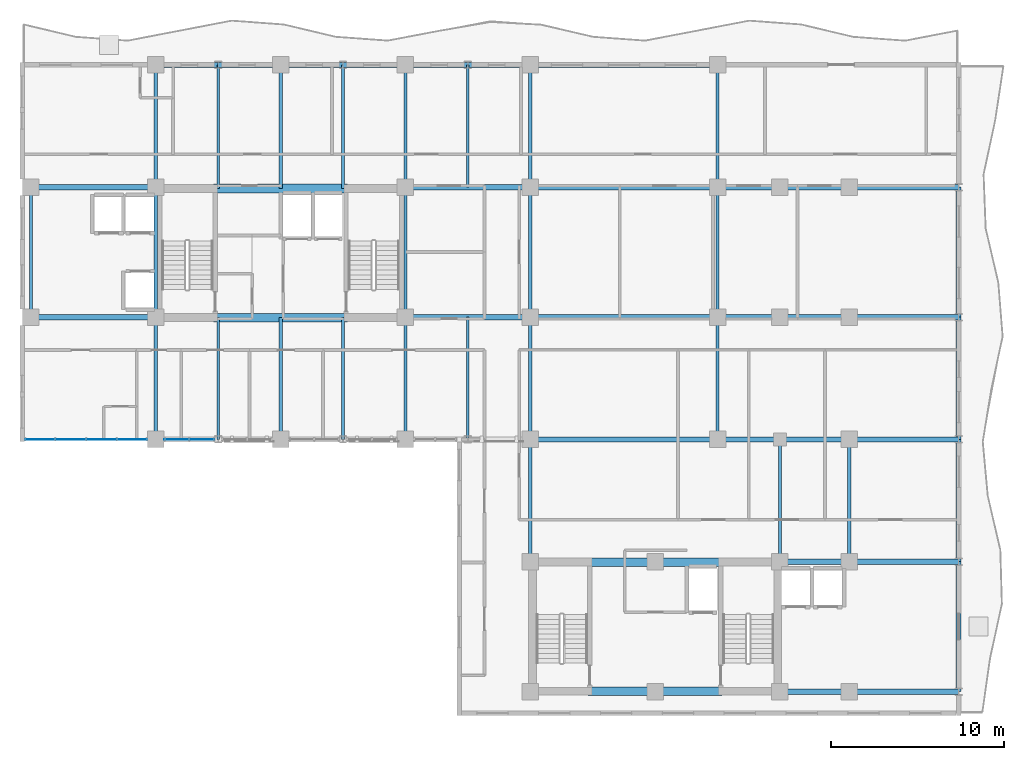
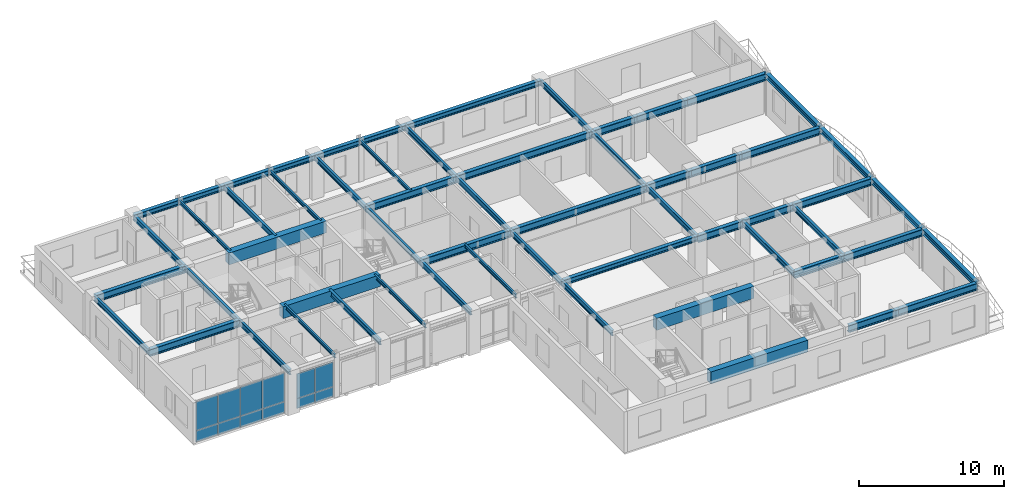
# One storey, part 6 of 16: 59 beams, 12 plates, 2 elements without a shape of their own.
"""IFC4 building model written with IfcOpenShell, lengths in metres."""

from ifc_helpers import new_model, si_unit, direction, frame, origin, origin_2d, place, context, subcontext, project, spatial, rectangle, i_section, extrude, source, transform, mapped, material, layer, layer_set, material_profile, profile_set, type_object, element, aggregate, save


model = new_model("IFC4")

# Units and contexts
model_context = context("Model", 3, precision=1e-05, world=origin(), true_north=direction((0.0, 1.0)))
body_context = subcontext(model_context, "Body", "Model", "MODEL_VIEW")
ifc_project = project(units=[si_unit("LENGTHUNIT", "METRE"), si_unit("AREAUNIT", "SQUARE_METRE"), si_unit("VOLUMEUNIT", "CUBIC_METRE"), si_unit("PLANEANGLEUNIT", "RADIAN"), si_unit("MASSUNIT", "GRAM", prefix="KILO")], contexts=[model_context])

# Site, building, storey
site_placement = place(None, origin())
site = spatial("IfcSite", under=ifc_project, at=site_placement, CompositionType="ELEMENT")
building_placement = place(site_placement, origin())
building = spatial("IfcBuilding", under=site, at=building_placement, Name="Kaliganga Portal Commons", CompositionType="ELEMENT")
storey_placement = place(building_placement, frame((0.0, 0.0, 205.5)))
storey = spatial("IfcBuildingStorey", under=building, at=storey_placement, Name="L52", CompositionType="ELEMENT", Elevation=205.5)

# Beams
ifc_material_1 = material(Name="Concrete C50/60", Category="concrete")
ifc_material_profile_1 = material_profile(ifc_material_1, rectangle(XDim=0.5, YDim=1.0, at=origin_2d()), Name="RC 500x1000")
ifc_profile_set_1 = profile_set([ifc_material_profile_1], Name="Concrete C50/60")
beam_type_1 = type_object("IfcBeamType", Name="BM-CPL-1000", PredefinedType="LINTEL", material=ifc_profile_set_1)
shared_shape_1 = source(origin(), body_context, "Body", "SweptSolid", [
    extrude(rectangle(XDim=0.5, YDim=1.0, at=origin_2d()), origin(), (0.0, 0.0, 1.0), 7.739990234375),
])
for number, where, z_axis, x_axis, name in (
    (1, (17.72998046875, 28.625, 2.969970703125), (1.0, 0.0, 0.0), (0.0, 1.0, 0.0), "BM CPL COREA L52 S"),
    (2, (17.72998046875, 36.074951171875, 2.969970703125), (1.0, 0.0, 0.0), (0.0, 1.0, 0.0), "BM CPL COREA L52 N"),
    (3, (39.330078125, 7.074951171875, 2.969970703125), (1.0, 0.0, 0.0), (0.0, 1.0, 0.0), "BM CPL COREB L52 S"),
    (4, (39.330078125, 14.52490234375, 2.969970703125), (1.0, 0.0, 0.0), (0.0, 1.0, 0.0), "BM CPL COREB L52 N"),
):
    element("IfcBeam", number, at=place(storey_placement, frame(where, z_axis=z_axis, x_axis=x_axis)), inside=storey, type_object=beam_type_1, Name=name, PredefinedType="LINTEL", context=body_context, shape_type="MappedRepresentation", body=[
        mapped(shared_shape_1, transform((0.0, 0.0, 0.0), x_axis=(1.0, 0.0, 0.0), y_axis=(0.0, 1.0, 0.0), z_axis=(0.0, 0.0, 1.0), scale=1.0)),
    ])
ifc_material_2 = material(Name="Structural steel S355J2", Category="steel")
ifc_material_profile_2 = material_profile(ifc_material_2, i_section(OverallWidth=0.300048828125, OverallDepth=0.449951171875, WebThickness=0.013916015625, FlangeThickness=0.02587890625, FilletRadius=0.027099609375, at=origin_2d()), Name="HE 450 B")
ifc_profile_set_2 = profile_set([ifc_material_profile_2], Name="Structural steel S355J2 wide-flange")
beam_type_2 = type_object("IfcBeamType", Name="BM-SPAND-450", PredefinedType="SPANDREL", material=ifc_profile_set_2)
shared_shape_2 = source(origin(), body_context, "Body", "SweptSolid", [
    extrude(i_section(OverallWidth=0.300048828125, OverallDepth=0.449951171875, WebThickness=0.013916015625, FlangeThickness=0.02587890625, FilletRadius=0.027099609375, at=origin_2d()), origin(), (0.0, 0.0, 1.0), 3.60009765625),
])
for number, where, z_axis, x_axis, name in (
    (5, (14.39990234375, 43.199951171875, 3.2451171875), (1.0, 0.0, 0.0), (0.0, 1.0, 0.0), "BM SP L52 AN 1"),
    (6, (18.0, 43.199951171875, 3.2451171875), (1.0, 0.0, 0.0), (0.0, 1.0, 0.0), "BM SP L52 AN 2"),
    (7, (25.199951171875, 43.199951171875, 3.2451171875), (1.0, 0.0, 0.0), (0.0, 1.0, 0.0), "BM SP L52 AN 4"),
    (8, (32.39990234375, 43.199951171875, 3.2451171875), (1.0, 0.0, 0.0), (0.0, 1.0, 0.0), "BM SP L52 AN 6"),
):
    element("IfcBeam", number, at=place(storey_placement, frame(where, z_axis=z_axis, x_axis=x_axis)), inside=storey, type_object=beam_type_2, Name=name, PredefinedType="SPANDREL", context=body_context, shape_type="MappedRepresentation", body=[
        mapped(shared_shape_2, transform((0.0, 0.0, 0.0), x_axis=(1.0, 0.0, 0.0), y_axis=(0.0, 1.0, 0.0), z_axis=(0.0, 0.0, 1.0), scale=1.0)),
    ])
shared_shape_3 = source(origin(), body_context, "Body", "SweptSolid", [
    extrude(i_section(OverallWidth=0.300048828125, OverallDepth=0.449951171875, WebThickness=0.013916015625, FlangeThickness=0.02587890625, FilletRadius=0.027099609375, at=origin_2d()), origin(), (0.0, 0.0, 1.0), 3.599853515625),
])
for number, where, z_axis, x_axis, name in (
    (9, (21.60009765625, 43.199951171875, 3.2451171875), (1.0, 0.0, 0.0), (0.0, 1.0, 0.0), "BM SP L52 AN 3"),
    (10, (28.800048828125, 43.199951171875, 3.2451171875), (1.0, 0.0, 0.0), (0.0, 1.0, 0.0), "BM SP L52 AN 5"),
):
    element("IfcBeam", number, at=place(storey_placement, frame(where, z_axis=z_axis, x_axis=x_axis)), inside=storey, type_object=beam_type_2, Name=name, PredefinedType="SPANDREL", context=body_context, shape_type="MappedRepresentation", body=[
        mapped(shared_shape_3, transform((0.0, 0.0, 0.0), x_axis=(1.0, 0.0, 0.0), y_axis=(0.0, 1.0, 0.0), z_axis=(0.0, 0.0, 1.0), scale=1.0)),
    ])
shared_shape_4 = source(origin(), body_context, "Body", "SweptSolid", [
    extrude(i_section(OverallWidth=0.300048828125, OverallDepth=0.449951171875, WebThickness=0.013916015625, FlangeThickness=0.02587890625, FilletRadius=0.027099609375, at=origin_2d()), origin(), (0.0, 0.0, 1.0), 10.800048828125),
])
for number, where, z_axis, x_axis, name in (
    (11, (36.0, 43.199951171875, 3.2451171875), (1.0, 0.0, 0.0), (0.0, 1.0, 0.0), "BM SP L52 AN 7"),
    (12, (36.0, 21.60009765625, 3.2451171875), (1.0, 0.0, 0.0), (0.0, 1.0, 0.0), "BM SP L52 AS 7"),
):
    element("IfcBeam", number, at=place(storey_placement, frame(where, z_axis=z_axis, x_axis=x_axis)), inside=storey, type_object=beam_type_2, Name=name, PredefinedType="SPANDREL", context=body_context, shape_type="MappedRepresentation", body=[
        mapped(shared_shape_4, transform((0.0, 0.0, 0.0), x_axis=(1.0, 0.0, 0.0), y_axis=(0.0, 1.0, 0.0), z_axis=(0.0, 0.0, 1.0), scale=1.0)),
    ])
shared_shape_5 = source(origin(), body_context, "Body", "SweptSolid", [
    extrude(i_section(OverallWidth=0.300048828125, OverallDepth=0.449951171875, WebThickness=0.013916015625, FlangeThickness=0.02587890625, FilletRadius=0.027099609375, at=origin_2d()), origin(), (0.0, 0.0, 1.0), 7.5),
])
for number, where, z_axis, x_axis, name in (
    (13, (60.699951171875, 7.050048828125, 3.2451171875), (0.0, 1.0, 0.0), (-1.0, 0.0, 0.0), "BM SP L52 BE 1"),
    (14, (60.699951171875, 28.64990234375, 3.2451171875), (0.0, 1.0, 0.0), (-1.0, 0.0, 0.0), "BM SP L52 BE 4"),
):
    element("IfcBeam", number, at=place(storey_placement, frame(where, z_axis=z_axis, x_axis=x_axis)), inside=storey, type_object=beam_type_2, Name=name, PredefinedType="SPANDREL", context=body_context, shape_type="MappedRepresentation", body=[
        mapped(shared_shape_5, transform((0.0, 0.0, 0.0), x_axis=(1.0, 0.0, 0.0), y_axis=(0.0, 1.0, 0.0), z_axis=(0.0, 0.0, 1.0), scale=1.0)),
    ])
shared_shape_6 = source(origin(), body_context, "Body", "SweptSolid", [
    extrude(i_section(OverallWidth=0.300048828125, OverallDepth=0.449951171875, WebThickness=0.013916015625, FlangeThickness=0.02587890625, FilletRadius=0.027099609375, at=origin_2d()), origin(), (0.0, 0.0, 1.0), 7.050048828125),
])
beam_1_placement = place(storey_placement, frame((60.699951171875, 14.550048828125, 3.2451171875), z_axis=(0.0, 1.0, 0.0), x_axis=(-1.0, 0.0, 0.0)))
element("IfcBeam", 15, at=beam_1_placement, inside=storey, type_object=beam_type_2, Name="BM SP L52 BE 2", PredefinedType="SPANDREL", context=body_context, shape_type="MappedRepresentation", body=[
    mapped(shared_shape_6, transform((0.0, 0.0, 0.0), x_axis=(1.0, 0.0, 0.0), y_axis=(0.0, 1.0, 0.0), z_axis=(0.0, 0.0, 1.0), scale=1.0)),
])
shared_shape_7 = source(origin(), body_context, "Body", "SweptSolid", [
    extrude(i_section(OverallWidth=0.300048828125, OverallDepth=0.449951171875, WebThickness=0.013916015625, FlangeThickness=0.02587890625, FilletRadius=0.027099609375, at=origin_2d()), origin(), (0.0, 0.0, 1.0), 7.0498046875),
])
beam_2_placement = place(storey_placement, frame((60.699951171875, 21.60009765625, 3.2451171875), z_axis=(0.0, 1.0, 0.0), x_axis=(-1.0, 0.0, 0.0)))
element("IfcBeam", 16, at=beam_2_placement, inside=storey, type_object=beam_type_2, Name="BM SP L52 BE 3", PredefinedType="SPANDREL", context=body_context, shape_type="MappedRepresentation", body=[
    mapped(shared_shape_7, transform((0.0, 0.0, 0.0), x_axis=(1.0, 0.0, 0.0), y_axis=(0.0, 1.0, 0.0), z_axis=(0.0, 0.0, 1.0), scale=1.0)),
])
ifc_material_profile_3 = material_profile(ifc_material_2, i_section(OverallWidth=0.300048828125, OverallDepth=0.60009765625, WebThickness=0.015380859375, FlangeThickness=0.030029296875, FilletRadius=0.027099609375, at=origin_2d()), Name="HE 600 B")
ifc_profile_set_3 = profile_set([ifc_material_profile_3], Name="Structural steel S355J2 wide-flange")
beam_type_3 = type_object("IfcBeamType", Name="BM-GIRD-600", PredefinedType="USERDEFINED", material=ifc_profile_set_3)
shared_shape_8 = source(origin(), body_context, "Body", "SweptSolid", [
    extrude(i_section(OverallWidth=0.300048828125, OverallDepth=0.60009765625, WebThickness=0.015380859375, FlangeThickness=0.030029296875, FilletRadius=0.027099609375, at=origin_2d()), origin(), (0.0, 0.0, 1.0), 7.199951171875),
])
for number, where, z_axis, x_axis, name in (
    (17, (7.199951171875, 28.64990234375, 3.169921875), (1.0, 0.0, 0.0), (0.0, 1.0, 0.0), "BM G L52 WAH_S 1"),
    (18, (7.199951171875, 36.14990234375, 3.169921875), (1.0, 0.0, 0.0), (0.0, 1.0, 0.0), "BM G L52 WAH_N 1"),
    (19, (28.800048828125, 28.64990234375, 3.169921875), (1.0, 0.0, 0.0), (0.0, 1.0, 0.0), "BM G L52 WAE_S 1"),
    (20, (28.800048828125, 36.14990234375, 3.169921875), (1.0, 0.0, 0.0), (0.0, 1.0, 0.0), "BM G L52 WAE_N 1"),
):
    element("IfcBeam", number, at=place(storey_placement, frame(where, z_axis=z_axis, x_axis=x_axis)), inside=storey, type_object=beam_type_3, Name=name, ObjectType="GIRDER", PredefinedType="USERDEFINED", context=body_context, shape_type="MappedRepresentation", body=[
        mapped(shared_shape_8, transform((0.0, 0.0, 0.0), x_axis=(1.0, 0.0, 0.0), y_axis=(0.0, 1.0, 0.0), z_axis=(0.0, 0.0, 1.0), scale=1.0)),
    ])
shared_shape_9 = source(origin(), body_context, "Body", "SweptSolid", [
    extrude(i_section(OverallWidth=0.300048828125, OverallDepth=0.60009765625, WebThickness=0.015380859375, FlangeThickness=0.030029296875, FilletRadius=0.027099609375, at=origin_2d()), origin(), (0.0, 0.0, 1.0), 10.800048828125),
])
for number, where, z_axis, x_axis, name in (
    (21, (36.0, 28.64990234375, 3.169921875), (1.0, 0.0, 0.0), (0.0, 1.0, 0.0), "BM G L52 WAE_S 2"),
    (22, (36.0, 36.14990234375, 3.169921875), (1.0, 0.0, 0.0), (0.0, 1.0, 0.0), "BM G L52 WAE_N 2"),
):
    element("IfcBeam", number, at=place(storey_placement, frame(where, z_axis=z_axis, x_axis=x_axis)), inside=storey, type_object=beam_type_3, Name=name, ObjectType="GIRDER", PredefinedType="USERDEFINED", context=body_context, shape_type="MappedRepresentation", body=[
        mapped(shared_shape_9, transform((0.0, 0.0, 0.0), x_axis=(1.0, 0.0, 0.0), y_axis=(0.0, 1.0, 0.0), z_axis=(0.0, 0.0, 1.0), scale=1.0)),
    ])
shared_shape_10 = source(origin(), body_context, "Body", "SweptSolid", [
    extrude(i_section(OverallWidth=0.300048828125, OverallDepth=0.60009765625, WebThickness=0.015380859375, FlangeThickness=0.030029296875, FilletRadius=0.027099609375, at=origin_2d()), origin(), (0.0, 0.0, 1.0), 4.0),
])
for number, where, z_axis, x_axis, name in (
    (23, (50.39990234375, 7.050048828125, 3.169921875), (1.0, 0.0, 0.0), (0.0, 1.0, 0.0), "BM G L52 BKE70 1"),
    (24, (50.39990234375, 14.550048828125, 3.169921875), (1.0, 0.0, 0.0), (0.0, 1.0, 0.0), "BM G L52 BKE146 1"),
    (25, (50.39990234375, 21.60009765625, 3.169921875), (1.0, 0.0, 0.0), (0.0, 1.0, 0.0), "BM G L52 BKE216 2"),
    (26, (50.39990234375, 28.64990234375, 3.169921875), (1.0, 0.0, 0.0), (0.0, 1.0, 0.0), "BM G L52 BKE286 2"),
    (27, (50.39990234375, 36.14990234375, 3.169921875), (1.0, 0.0, 0.0), (0.0, 1.0, 0.0), "BM G L52 BKE362 2"),
):
    element("IfcBeam", number, at=place(storey_placement, frame(where, z_axis=z_axis, x_axis=x_axis)), inside=storey, type_object=beam_type_3, Name=name, ObjectType="GIRDER", PredefinedType="USERDEFINED", context=body_context, shape_type="MappedRepresentation", body=[
        mapped(shared_shape_10, transform((0.0, 0.0, 0.0), x_axis=(1.0, 0.0, 0.0), y_axis=(0.0, 1.0, 0.0), z_axis=(0.0, 0.0, 1.0), scale=1.0)),
    ])
shared_shape_11 = source(origin(), body_context, "Body", "SweptSolid", [
    extrude(i_section(OverallWidth=0.300048828125, OverallDepth=0.60009765625, WebThickness=0.015380859375, FlangeThickness=0.030029296875, FilletRadius=0.027099609375, at=origin_2d()), origin(), (0.0, 0.0, 1.0), 3.599853515625),
])
for number, where, z_axis, x_axis, name in (
    (28, (46.800048828125, 21.60009765625, 3.169921875), (1.0, 0.0, 0.0), (0.0, 1.0, 0.0), "BM G L52 BKE216 1"),
    (29, (46.800048828125, 28.64990234375, 3.169921875), (1.0, 0.0, 0.0), (0.0, 1.0, 0.0), "BM G L52 BKE286 1"),
    (30, (46.800048828125, 36.14990234375, 3.169921875), (1.0, 0.0, 0.0), (0.0, 1.0, 0.0), "BM G L52 BKE362 1"),
):
    element("IfcBeam", number, at=place(storey_placement, frame(where, z_axis=z_axis, x_axis=x_axis)), inside=storey, type_object=beam_type_3, Name=name, ObjectType="GIRDER", PredefinedType="USERDEFINED", context=body_context, shape_type="MappedRepresentation", body=[
        mapped(shared_shape_11, transform((0.0, 0.0, 0.0), x_axis=(1.0, 0.0, 0.0), y_axis=(0.0, 1.0, 0.0), z_axis=(0.0, 0.0, 1.0), scale=1.0)),
    ])
ifc_material_profile_4 = material_profile(ifc_material_2, i_section(OverallWidth=0.18994140625, OverallDepth=0.449951171875, WebThickness=0.009521484375, FlangeThickness=0.0146484375, FilletRadius=0.02099609375, at=origin_2d()), Name="IPE 450")
ifc_profile_set_4 = profile_set([ifc_material_profile_4], Name="Structural steel S355J2 wide-flange")
beam_type_4 = type_object("IfcBeamType", Name="BM-FLR-450", PredefinedType="BEAM", material=ifc_profile_set_4)
shared_shape_12 = source(origin(), body_context, "Body", "SweptSolid", [
    extrude(i_section(OverallWidth=0.18994140625, OverallDepth=0.449951171875, WebThickness=0.009521484375, FlangeThickness=0.0146484375, FilletRadius=0.02099609375, at=origin_2d()), origin(), (0.0, 0.0, 1.0), 7.5),
])
for number, where, z_axis, x_axis, name in (
    (31, (7.199951171875, 28.64990234375, 3.2451171875), (0.0, 1.0, 0.0), (-1.0, 0.0, 0.0), "BM G L52 AW72"),
    (32, (14.39990234375, 28.64990234375, 3.2451171875), (0.0, 1.0, 0.0), (-1.0, 0.0, 0.0), "BM G L52 AM144"),
    (33, (28.800048828125, 28.64990234375, 3.2451171875), (0.0, 1.0, 0.0), (-1.0, 0.0, 0.0), "BM G L52 AM288"),
    (34, (36.0, 28.64990234375, 3.2451171875), (0.0, 1.0, 0.0), (-1.0, 0.0, 0.0), "BM G L52 AM360"),
    (35, (46.800048828125, 28.64990234375, 3.2451171875), (0.0, 1.0, 0.0), (-1.0, 0.0, 0.0), "BM G L52 AM468"),
):
    element("IfcBeam", number, at=place(storey_placement, frame(where, z_axis=z_axis, x_axis=x_axis)), inside=storey, type_object=beam_type_4, Name=name, PredefinedType="BEAM", context=body_context, shape_type="MappedRepresentation", body=[
        mapped(shared_shape_12, transform((0.0, 0.0, 0.0), x_axis=(1.0, 0.0, 0.0), y_axis=(0.0, 1.0, 0.0), z_axis=(0.0, 0.0, 1.0), scale=1.0)),
    ])
shared_shape_13 = source(origin(), body_context, "Body", "SweptSolid", [
    extrude(i_section(OverallWidth=0.18994140625, OverallDepth=0.449951171875, WebThickness=0.009521484375, FlangeThickness=0.0146484375, FilletRadius=0.02099609375, at=origin_2d()), origin(), (0.0, 0.0, 1.0), 7.050048828125),
])
for number, where, z_axis, x_axis, name in (
    (36, (14.39990234375, 36.14990234375, 3.2451171875), (0.0, 1.0, 0.0), (-1.0, 0.0, 0.0), "BM G L52 AN144"),
    (37, (28.800048828125, 36.14990234375, 3.2451171875), (0.0, 1.0, 0.0), (-1.0, 0.0, 0.0), "BM G L52 AN288"),
    (38, (36.0, 36.14990234375, 3.2451171875), (0.0, 1.0, 0.0), (-1.0, 0.0, 0.0), "BM G L52 AN360"),
    (39, (46.800048828125, 36.14990234375, 3.2451171875), (0.0, 1.0, 0.0), (-1.0, 0.0, 0.0), "BM G L52 AN468"),
    (40, (36.0, 14.550048828125, 3.2451171875), (0.0, 1.0, 0.0), (-1.0, 0.0, 0.0), "BM G L52 BNK360"),
    (41, (50.39990234375, 14.550048828125, 3.2451171875), (0.0, 1.0, 0.0), (-1.0, 0.0, 0.0), "BM G L52 BNK504"),
    (42, (54.39990234375, 14.550048828125, 3.2451171875), (0.0, 1.0, 0.0), (-1.0, 0.0, 0.0), "BM G L52 BNK544"),
):
    element("IfcBeam", number, at=place(storey_placement, frame(where, z_axis=z_axis, x_axis=x_axis)), inside=storey, type_object=beam_type_4, Name=name, PredefinedType="BEAM", context=body_context, shape_type="MappedRepresentation", body=[
        mapped(shared_shape_13, transform((0.0, 0.0, 0.0), x_axis=(1.0, 0.0, 0.0), y_axis=(0.0, 1.0, 0.0), z_axis=(0.0, 0.0, 1.0), scale=1.0)),
    ])
shared_shape_14 = source(origin(), body_context, "Body", "SweptSolid", [
    extrude(i_section(OverallWidth=0.18994140625, OverallDepth=0.449951171875, WebThickness=0.009521484375, FlangeThickness=0.0146484375, FilletRadius=0.02099609375, at=origin_2d()), origin(), (0.0, 0.0, 1.0), 7.0498046875),
])
for number, where, z_axis, x_axis, name in (
    (43, (14.39990234375, 21.60009765625, 3.2451171875), (0.0, 1.0, 0.0), (-1.0, 0.0, 0.0), "BM G L52 AS144"),
    (44, (28.800048828125, 21.60009765625, 3.2451171875), (0.0, 1.0, 0.0), (-1.0, 0.0, 0.0), "BM G L52 AS288"),
    (45, (36.0, 21.60009765625, 3.2451171875), (0.0, 1.0, 0.0), (-1.0, 0.0, 0.0), "BM G L52 AS360"),
    (46, (46.800048828125, 21.60009765625, 3.2451171875), (0.0, 1.0, 0.0), (-1.0, 0.0, 0.0), "BM G L52 AS468"),
):
    element("IfcBeam", number, at=place(storey_placement, frame(where, z_axis=z_axis, x_axis=x_axis)), inside=storey, type_object=beam_type_4, Name=name, PredefinedType="BEAM", context=body_context, shape_type="MappedRepresentation", body=[
        mapped(shared_shape_14, transform((0.0, 0.0, 0.0), x_axis=(1.0, 0.0, 0.0), y_axis=(0.0, 1.0, 0.0), z_axis=(0.0, 0.0, 1.0), scale=1.0)),
    ])
ifc_material_profile_5 = material_profile(ifc_material_2, i_section(OverallWidth=0.14990234375, OverallDepth=0.300048828125, WebThickness=0.007080078125, FlangeThickness=0.0107421875, FilletRadius=0.014892578125, at=origin_2d()), Name="IPE 300")
ifc_profile_set_5 = profile_set([ifc_material_profile_5], Name="Structural steel S355J2 wide-flange")
beam_type_5 = type_object("IfcBeamType", Name="BM-JST-300", PredefinedType="JOIST", material=ifc_profile_set_5)
shared_shape_15 = source(origin(), body_context, "Body", "SweptSolid", [
    extrude(i_section(OverallWidth=0.14990234375, OverallDepth=0.300048828125, WebThickness=0.007080078125, FlangeThickness=0.0107421875, FilletRadius=0.014892578125, at=origin_2d()), origin(), (0.0, 0.0, 1.0), 7.125),
])
for number, where, z_axis, x_axis, name in (
    (47, (18.0, 36.074951171875, 3.320068359375), (0.0, 1.0, 0.0), (-1.0, 0.0, 0.0), "BM G L52 AN180"),
    (48, (25.199951171875, 36.074951171875, 3.320068359375), (0.0, 1.0, 0.0), (-1.0, 0.0, 0.0), "BM G L52 AN252"),
):
    element("IfcBeam", number, at=place(storey_placement, frame(where, z_axis=z_axis, x_axis=x_axis)), inside=storey, type_object=beam_type_5, Name=name, PredefinedType="JOIST", context=body_context, shape_type="MappedRepresentation", body=[
        mapped(shared_shape_15, transform((0.0, 0.0, 0.0), x_axis=(1.0, 0.0, 0.0), y_axis=(0.0, 1.0, 0.0), z_axis=(0.0, 0.0, 1.0), scale=1.0)),
    ])
shared_shape_16 = source(origin(), body_context, "Body", "SweptSolid", [
    extrude(i_section(OverallWidth=0.14990234375, OverallDepth=0.300048828125, WebThickness=0.007080078125, FlangeThickness=0.0107421875, FilletRadius=0.014892578125, at=origin_2d()), origin(), (0.0, 0.0, 1.0), 7.02490234375),
])
for number, where, z_axis, x_axis, name in (
    (49, (18.0, 21.60009765625, 3.320068359375), (0.0, 1.0, 0.0), (-1.0, 0.0, 0.0), "BM G L52 AS180"),
    (50, (25.199951171875, 21.60009765625, 3.320068359375), (0.0, 1.0, 0.0), (-1.0, 0.0, 0.0), "BM G L52 AS252"),
):
    element("IfcBeam", number, at=place(storey_placement, frame(where, z_axis=z_axis, x_axis=x_axis)), inside=storey, type_object=beam_type_5, Name=name, PredefinedType="JOIST", context=body_context, shape_type="MappedRepresentation", body=[
        mapped(shared_shape_16, transform((0.0, 0.0, 0.0), x_axis=(1.0, 0.0, 0.0), y_axis=(0.0, 1.0, 0.0), z_axis=(0.0, 0.0, 1.0), scale=1.0)),
    ])
shared_shape_17 = source(origin(), body_context, "Body", "SweptSolid", [
    extrude(i_section(OverallWidth=0.18994140625, OverallDepth=0.449951171875, WebThickness=0.009521484375, FlangeThickness=0.0146484375, FilletRadius=0.02099609375, at=origin_2d()), origin(), (0.0, 0.0, 1.0), 7.125),
])
beam_3_placement = place(storey_placement, frame((21.60009765625, 36.074951171875, 3.2451171875), z_axis=(0.0, 1.0, 0.0), x_axis=(-1.0, 0.0, 0.0)))
element("IfcBeam", 51, at=beam_3_placement, inside=storey, type_object=beam_type_4, Name="BM G L52 AN216", PredefinedType="BEAM", context=body_context, shape_type="MappedRepresentation", body=[
    mapped(shared_shape_17, transform((0.0, 0.0, 0.0), x_axis=(1.0, 0.0, 0.0), y_axis=(0.0, 1.0, 0.0), z_axis=(0.0, 0.0, 1.0), scale=1.0)),
])
shared_shape_18 = source(origin(), body_context, "Body", "SweptSolid", [
    extrude(i_section(OverallWidth=0.18994140625, OverallDepth=0.449951171875, WebThickness=0.009521484375, FlangeThickness=0.0146484375, FilletRadius=0.02099609375, at=origin_2d()), origin(), (0.0, 0.0, 1.0), 7.02490234375),
])
beam_4_placement = place(storey_placement, frame((21.60009765625, 21.60009765625, 3.2451171875), z_axis=(0.0, 1.0, 0.0), x_axis=(-1.0, 0.0, 0.0)))
element("IfcBeam", 52, at=beam_4_placement, inside=storey, type_object=beam_type_4, Name="BM G L52 AS216", PredefinedType="BEAM", context=body_context, shape_type="MappedRepresentation", body=[
    mapped(shared_shape_18, transform((0.0, 0.0, 0.0), x_axis=(1.0, 0.0, 0.0), y_axis=(0.0, 1.0, 0.0), z_axis=(0.0, 0.0, 1.0), scale=1.0)),
])
shared_shape_19 = source(origin(), body_context, "Body", "SweptSolid", [
    extrude(i_section(OverallWidth=0.14990234375, OverallDepth=0.300048828125, WebThickness=0.007080078125, FlangeThickness=0.0107421875, FilletRadius=0.014892578125, at=origin_2d()), origin(), (0.0, 0.0, 1.0), 7.050048828125),
])
beam_5_placement = place(storey_placement, frame((32.39990234375, 36.14990234375, 3.320068359375), z_axis=(0.0, 1.0, 0.0), x_axis=(-1.0, 0.0, 0.0)))
element("IfcBeam", 53, at=beam_5_placement, inside=storey, type_object=beam_type_5, Name="BM G L52 AN324", PredefinedType="JOIST", context=body_context, shape_type="MappedRepresentation", body=[
    mapped(shared_shape_19, transform((0.0, 0.0, 0.0), x_axis=(1.0, 0.0, 0.0), y_axis=(0.0, 1.0, 0.0), z_axis=(0.0, 0.0, 1.0), scale=1.0)),
])
shared_shape_20 = source(origin(), body_context, "Body", "SweptSolid", [
    extrude(i_section(OverallWidth=0.14990234375, OverallDepth=0.300048828125, WebThickness=0.007080078125, FlangeThickness=0.0107421875, FilletRadius=0.014892578125, at=origin_2d()), origin(), (0.0, 0.0, 1.0), 7.0498046875),
])
beam_6_placement = place(storey_placement, frame((32.39990234375, 21.60009765625, 3.320068359375), z_axis=(0.0, 1.0, 0.0), x_axis=(-1.0, 0.0, 0.0)))
element("IfcBeam", 54, at=beam_6_placement, inside=storey, type_object=beam_type_5, Name="BM G L52 AS324", PredefinedType="JOIST", context=body_context, shape_type="MappedRepresentation", body=[
    mapped(shared_shape_20, transform((0.0, 0.0, 0.0), x_axis=(1.0, 0.0, 0.0), y_axis=(0.0, 1.0, 0.0), z_axis=(0.0, 0.0, 1.0), scale=1.0)),
])
shared_shape_21 = source(origin(), body_context, "Body", "SweptSolid", [
    extrude(i_section(OverallWidth=0.300048828125, OverallDepth=0.60009765625, WebThickness=0.015380859375, FlangeThickness=0.030029296875, FilletRadius=0.027099609375, at=origin_2d()), origin(), (0.0, 0.0, 1.0), 6.300048828125),
])
for number, where, z_axis, x_axis, name in (
    (55, (54.39990234375, 7.050048828125, 3.169921875), (1.0, 0.0, 0.0), (0.0, 1.0, 0.0), "BM G L52 BKE70 2"),
    (56, (54.39990234375, 14.550048828125, 3.169921875), (1.0, 0.0, 0.0), (0.0, 1.0, 0.0), "BM G L52 BKE146 2"),
    (57, (54.39990234375, 21.60009765625, 3.169921875), (1.0, 0.0, 0.0), (0.0, 1.0, 0.0), "BM G L52 BKE216 3"),
    (58, (54.39990234375, 28.64990234375, 3.169921875), (1.0, 0.0, 0.0), (0.0, 1.0, 0.0), "BM G L52 BKE286 3"),
    (59, (54.39990234375, 36.14990234375, 3.169921875), (1.0, 0.0, 0.0), (0.0, 1.0, 0.0), "BM G L52 BKE362 3"),
):
    element("IfcBeam", number, at=place(storey_placement, frame(where, z_axis=z_axis, x_axis=x_axis)), inside=storey, type_object=beam_type_3, Name=name, ObjectType="GIRDER", PredefinedType="USERDEFINED", context=body_context, shape_type="MappedRepresentation", body=[
        mapped(shared_shape_21, transform((0.0, 0.0, 0.0), x_axis=(1.0, 0.0, 0.0), y_axis=(0.0, 1.0, 0.0), z_axis=(0.0, 0.0, 1.0), scale=1.0)),
    ])

# Curtain wall, plates
ifc_material_3 = material(Name="Anodized Aluminium and Laminated Low-E Glass", Category="aluminium")
ifc_layer_1 = layer(ifc_material_3, 0.2099609375)
ifc_layer_set_1 = layer_set([ifc_layer_1], Name="Anodized Aluminium and Laminated Low-E Glass")
curtain_wall_type = type_object("IfcCurtainWallType", Name="CW-SYS-03", PredefinedType="NOTDEFINED", material=ifc_layer_set_1)
curtain_wall_1_placement = place(storey_placement, origin())
curtain_wall_1 = element("IfcCurtainWall", 60, at=curtain_wall_1_placement, inside=storey, type_object=curtain_wall_type, Name="CW 03 L52 P1E04S1", PredefinedType="NOTDEFINED")
ifc_material_4 = material(Name="Insulated Dark Spandrel Panel", Category="metal")
ifc_layer_2 = layer(ifc_material_4, 0.044921875)
ifc_layer_set_2 = layer_set([ifc_layer_2], Name="Insulated Dark Spandrel Panel")
plate_type_1 = type_object("IfcPlateType", Name="PLT-SPN-45", PredefinedType="SHEET", material=ifc_layer_set_2)
shared_shape_22 = source(origin(), body_context, "Body", "SweptSolid", [
    extrude(rectangle(XDim=1.73095703125, YDim=0.044921875, at=origin_2d()), origin(), (0.0, 0.0, 1.0), 0.929931640625),
])
plate_1_placement = place(storey_placement, frame((7.7255859375, 21.60009765625, 0.01025390625), z_axis=(0.0, 0.0, 1.0), x_axis=(1.0, 0.0, 0.0)))
plate_1 = element("IfcPlate", 61, at=plate_1_placement, type_object=plate_type_1, Name="CW:03:L52:P1E04S1 Spandrel 00", PredefinedType="SHEET", context=body_context, shape_type="MappedRepresentation", body=[
    mapped(shared_shape_22, transform((0.0, 0.0, 0.0), x_axis=(1.0, 0.0, 0.0), y_axis=(0.0, 1.0, 0.0), z_axis=(0.0, 0.0, 1.0), scale=1.0)),
])
plate_2_placement = place(storey_placement, frame((9.49658203125, 21.60009765625, 0.01025390625), z_axis=(0.0, 0.0, 1.0), x_axis=(1.0, 0.0, 0.0)))
plate_2 = element("IfcPlate", 62, at=plate_2_placement, type_object=plate_type_1, Name="CW:03:L52:P1E04S1 Spandrel 01", PredefinedType="SHEET", context=body_context, shape_type="MappedRepresentation", body=[
    mapped(shared_shape_22, transform((0.0, 0.0, 0.0), x_axis=(1.0, 0.0, 0.0), y_axis=(0.0, 1.0, 0.0), z_axis=(0.0, 0.0, 1.0), scale=1.0)),
])
plate_3_placement = place(storey_placement, frame((11.267578125, 21.60009765625, 0.01025390625), z_axis=(0.0, 0.0, 1.0), x_axis=(1.0, 0.0, 0.0)))
plate_3 = element("IfcPlate", 63, at=plate_3_placement, type_object=plate_type_1, Name="CW:03:L52:P1E04S1 Spandrel 02", PredefinedType="SHEET", context=body_context, shape_type="MappedRepresentation", body=[
    mapped(shared_shape_22, transform((0.0, 0.0, 0.0), x_axis=(1.0, 0.0, 0.0), y_axis=(0.0, 1.0, 0.0), z_axis=(0.0, 0.0, 1.0), scale=1.0)),
])
plate_4_placement = place(storey_placement, frame((13.03857421875, 21.60009765625, 0.01025390625), z_axis=(0.0, 0.0, 1.0), x_axis=(1.0, 0.0, 0.0)))
plate_4 = element("IfcPlate", 64, at=plate_4_placement, type_object=plate_type_1, Name="CW:03:L52:P1E04S1 Spandrel 03", PredefinedType="SHEET", context=body_context, shape_type="MappedRepresentation", body=[
    mapped(shared_shape_22, transform((0.0, 0.0, 0.0), x_axis=(1.0, 0.0, 0.0), y_axis=(0.0, 1.0, 0.0), z_axis=(0.0, 0.0, 1.0), scale=1.0)),
])
ifc_material_5 = material(Name="Dark Solar-Control Laminated Low-E IGU", Category="glass")
ifc_layer_3 = layer(ifc_material_5, 0.028076171875)
ifc_layer_set_3 = layer_set([ifc_layer_3], Name="Dark Solar-Control Laminated Low-E IGU")
plate_type_2 = type_object("IfcPlateType", Name="PLT-GLZ-28", PredefinedType="CURTAIN_PANEL", material=ifc_layer_set_3)
shared_shape_23 = source(origin(), body_context, "Body", "SweptSolid", [
    extrude(rectangle(XDim=1.73095703125, YDim=0.028076171875, at=origin_2d()), origin(), (0.0, 0.0, 1.0), 2.419921875),
])
plate_5_placement = place(storey_placement, frame((7.7255859375, 21.60009765625, 0.9599609375), z_axis=(0.0, 0.0, 1.0), x_axis=(1.0, 0.0, 0.0)))
plate_5 = element("IfcPlate", 65, at=plate_5_placement, type_object=plate_type_2, Name="CW:03:L52:P1E04S1 Vision IGU 00", PredefinedType="CURTAIN_PANEL", context=body_context, shape_type="MappedRepresentation", body=[
    mapped(shared_shape_23, transform((0.0, 0.0, 0.0), x_axis=(1.0, 0.0, 0.0), y_axis=(0.0, 1.0, 0.0), z_axis=(0.0, 0.0, 1.0), scale=1.0)),
])
plate_6_placement = place(storey_placement, frame((9.49658203125, 21.60009765625, 0.9599609375), z_axis=(0.0, 0.0, 1.0), x_axis=(1.0, 0.0, 0.0)))
plate_6 = element("IfcPlate", 66, at=plate_6_placement, type_object=plate_type_2, Name="CW:03:L52:P1E04S1 Vision IGU 01", PredefinedType="CURTAIN_PANEL", context=body_context, shape_type="MappedRepresentation", body=[
    mapped(shared_shape_23, transform((0.0, 0.0, 0.0), x_axis=(1.0, 0.0, 0.0), y_axis=(0.0, 1.0, 0.0), z_axis=(0.0, 0.0, 1.0), scale=1.0)),
])
plate_7_placement = place(storey_placement, frame((11.267578125, 21.60009765625, 0.9599609375), z_axis=(0.0, 0.0, 1.0), x_axis=(1.0, 0.0, 0.0)))
plate_7 = element("IfcPlate", 67, at=plate_7_placement, type_object=plate_type_2, Name="CW:03:L52:P1E04S1 Vision IGU 02", PredefinedType="CURTAIN_PANEL", context=body_context, shape_type="MappedRepresentation", body=[
    mapped(shared_shape_23, transform((0.0, 0.0, 0.0), x_axis=(1.0, 0.0, 0.0), y_axis=(0.0, 1.0, 0.0), z_axis=(0.0, 0.0, 1.0), scale=1.0)),
])
plate_8_placement = place(storey_placement, frame((13.03857421875, 21.60009765625, 0.9599609375), z_axis=(0.0, 0.0, 1.0), x_axis=(1.0, 0.0, 0.0)))
plate_8 = element("IfcPlate", 68, at=plate_8_placement, type_object=plate_type_2, Name="CW:03:L52:P1E04S1 Vision IGU 03", PredefinedType="CURTAIN_PANEL", context=body_context, shape_type="MappedRepresentation", body=[
    mapped(shared_shape_23, transform((0.0, 0.0, 0.0), x_axis=(1.0, 0.0, 0.0), y_axis=(0.0, 1.0, 0.0), z_axis=(0.0, 0.0, 1.0), scale=1.0)),
])
aggregate(curtain_wall_1, [plate_1, plate_5, plate_2, plate_6, plate_3, plate_7, plate_4, plate_8])

curtain_wall_2_placement = place(storey_placement, origin())
curtain_wall_2 = element("IfcCurtainWall", 69, at=curtain_wall_2_placement, inside=storey, type_object=curtain_wall_type, Name="CW 03 L52 P1E04S2", PredefinedType="NOTDEFINED")
shared_shape_24 = source(origin(), body_context, "Body", "SweptSolid", [
    extrude(rectangle(XDim=1.421630859375, YDim=0.044921875, at=origin_2d()), origin(), (0.0, 0.0, 1.0), 0.82568359375),
])
plate_9_placement = place(storey_placement, frame((15.60693359375, 21.60009765625, 0.010009765625), z_axis=(0.0, 0.0, 1.0), x_axis=(1.0, 0.0, 0.0)))
plate_9 = element("IfcPlate", 70, at=plate_9_placement, type_object=plate_type_1, Name="CW:03:L52:P1E04S2 Spandrel 00", PredefinedType="SHEET", context=body_context, shape_type="MappedRepresentation", body=[
    mapped(shared_shape_24, transform((0.0, 0.0, 0.0), x_axis=(1.0, 0.0, 0.0), y_axis=(0.0, 1.0, 0.0), z_axis=(0.0, 0.0, 1.0), scale=1.0)),
])
plate_10_placement = place(storey_placement, frame((17.068603515625, 21.60009765625, 0.010009765625), z_axis=(0.0, 0.0, 1.0), x_axis=(1.0, 0.0, 0.0)))
plate_10 = element("IfcPlate", 71, at=plate_10_placement, type_object=plate_type_1, Name="CW:03:L52:P1E04S2 Spandrel 01", PredefinedType="SHEET", context=body_context, shape_type="MappedRepresentation", body=[
    mapped(shared_shape_24, transform((0.0, 0.0, 0.0), x_axis=(1.0, 0.0, 0.0), y_axis=(0.0, 1.0, 0.0), z_axis=(0.0, 0.0, 1.0), scale=1.0)),
])
shared_shape_25 = source(origin(), body_context, "Body", "SweptSolid", [
    extrude(rectangle(XDim=1.421630859375, YDim=0.028076171875, at=origin_2d()), origin(), (0.0, 0.0, 1.0), 2.074462890625),
])
plate_11_placement = place(storey_placement, frame((15.60693359375, 21.60009765625, 0.85546875), z_axis=(0.0, 0.0, 1.0), x_axis=(1.0, 0.0, 0.0)))
plate_11 = element("IfcPlate", 72, at=plate_11_placement, type_object=plate_type_2, Name="CW:03:L52:P1E04S2 Vision IGU 00", PredefinedType="CURTAIN_PANEL", context=body_context, shape_type="MappedRepresentation", body=[
    mapped(shared_shape_25, transform((0.0, 0.0, 0.0), x_axis=(1.0, 0.0, 0.0), y_axis=(0.0, 1.0, 0.0), z_axis=(0.0, 0.0, 1.0), scale=1.0)),
])
plate_12_placement = place(storey_placement, frame((17.068603515625, 21.60009765625, 0.85546875), z_axis=(0.0, 0.0, 1.0), x_axis=(1.0, 0.0, 0.0)))
plate_12 = element("IfcPlate", 73, at=plate_12_placement, type_object=plate_type_2, Name="CW:03:L52:P1E04S2 Vision IGU 01", PredefinedType="CURTAIN_PANEL", context=body_context, shape_type="MappedRepresentation", body=[
    mapped(shared_shape_25, transform((0.0, 0.0, 0.0), x_axis=(1.0, 0.0, 0.0), y_axis=(0.0, 1.0, 0.0), z_axis=(0.0, 0.0, 1.0), scale=1.0)),
])
aggregate(curtain_wall_2, [plate_9, plate_11, plate_10, plate_12])

save(model, "model.ifc")
